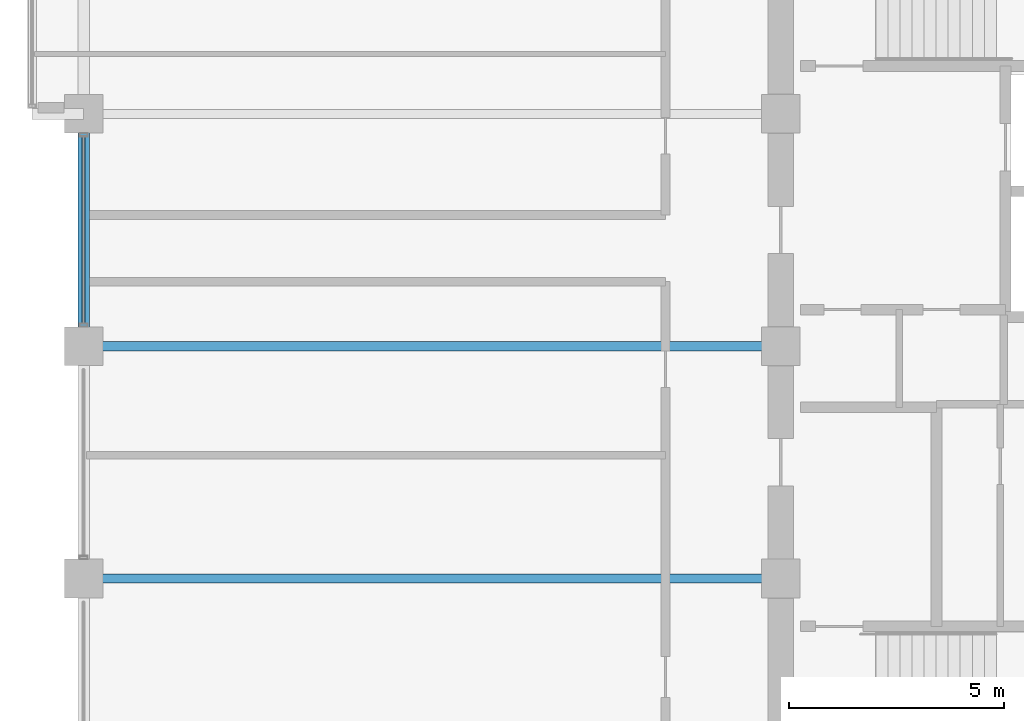
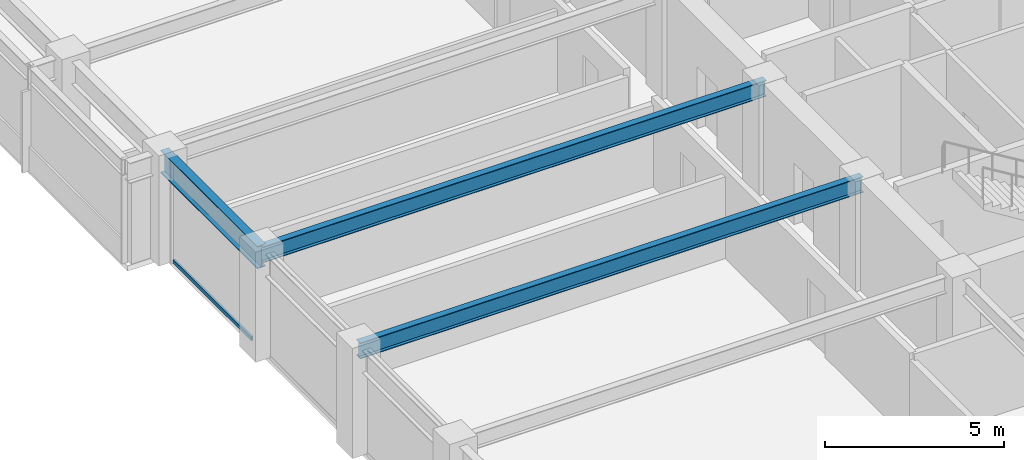
# One storey, part 9 of 32: 3 beams, 1 member, 1 element without a shape of its own.
"""IFC4 building model written with IfcOpenShell, lengths in metres."""

from ifc_helpers import new_model, si_unit, direction, frame, origin, origin_2d, place, context, subcontext, project, spatial, hollow_rectangle, i_section, extrude, material, layer, layer_set, material_profile, profile_set, type_object, element, aggregate, save


model = new_model("IFC4")

# Units and contexts
model_context = context("Model", 3, precision=1e-05, world=origin(), true_north=direction((0.0, 1.0)))
body_context = subcontext(model_context, "Body", "Model", "MODEL_VIEW")
ifc_project = project(units=[si_unit("LENGTHUNIT", "METRE"), si_unit("AREAUNIT", "SQUARE_METRE"), si_unit("VOLUMEUNIT", "CUBIC_METRE"), si_unit("PLANEANGLEUNIT", "RADIAN"), si_unit("MASSUNIT", "GRAM", prefix="KILO")], contexts=[model_context])

# Site, building, storey
site_placement = place(None, origin())
site = spatial("IfcSite", under=ifc_project, at=site_placement, CompositionType="ELEMENT")
building_placement = place(site_placement, origin())
building = spatial("IfcBuilding", under=site, at=building_placement, Name="Surkhivell Harbour Commons", CompositionType="ELEMENT")
storey_placement = place(building_placement, frame((0.0, 0.0, 189.75)))
storey = spatial("IfcBuildingStorey", under=building, at=storey_placement, Name="L49", CompositionType="ELEMENT", Elevation=189.75)

# Beams
ifc_material_1 = material(Name="Steel S355", Category="steel")
ifc_material_profile_1 = material_profile(ifc_material_1, i_section(OverallWidth=0.2119140625, OverallDepth=0.5439453125, WebThickness=0.0126953125, FlangeThickness=0.021240234375, at=origin_2d()), Name="UB533x210x122")
ifc_profile_set_1 = profile_set([ifc_material_profile_1], Name="Steel S355")
beam_type_1 = type_object("IfcBeamType", Name="BM-GRD-533A", PredefinedType="BEAM", material=ifc_profile_set_1)
for number, where, z_axis, x_axis, name in (
    (1, (-27.0, -5.39990234375, 3.298095703125), (1.0, 0.0, 0.0), (0.0, 1.0, 0.0), "L49 Floor Girder (-27.0,-5.4)"),
    (2, (-27.0, 0.0, 3.298095703125), (1.0, 0.0, 0.0), (0.0, 1.0, 0.0), "L49 Floor Girder (-27.0,0.0)"),
):
    element("IfcBeam", number, at=place(storey_placement, frame(where, z_axis=z_axis, x_axis=x_axis)), inside=storey, type_object=beam_type_1, Name=name, PredefinedType="BEAM", context=body_context, shape_type="SweptSolid", body=[
        extrude(i_section(OverallWidth=0.2119140625, OverallDepth=0.5439453125, WebThickness=0.0126953125, FlangeThickness=0.021240234375, at=origin_2d()), origin(), (0.0, 0.0, 1.0), 16.199951171875),
    ])
ifc_material_profile_2 = material_profile(ifc_material_1, i_section(OverallWidth=0.26806640625, OverallDepth=0.77001953125, WebThickness=0.015625, FlangeThickness=0.025390625, at=origin_2d()), Name="UB762x267x197")
ifc_profile_set_2 = profile_set([ifc_material_profile_2], Name="Steel S355")
beam_type_2 = type_object("IfcBeamType", Name="BM-SPN-762", PredefinedType="SPANDREL", material=ifc_profile_set_2)
beam_placement = place(storey_placement, frame((-27.0, 0.0, 3.18505859375), z_axis=(0.0, 1.0, 0.0), x_axis=(-1.0, 0.0, 0.0)))
element("IfcBeam", 3, at=beam_placement, inside=storey, type_object=beam_type_2, Name="L49 Tube Spandrel (-27.0,0.0)", PredefinedType="SPANDREL", context=body_context, shape_type="SweptSolid", body=[
    extrude(i_section(OverallWidth=0.26806640625, OverallDepth=0.77001953125, WebThickness=0.015625, FlangeThickness=0.025390625, at=origin_2d()), origin(), (0.0, 0.0, 1.0), 5.39990234375),
])

# Curtain wall, member
ifc_material_2 = material(Name="Anodised pale-metal aluminium and insulated glazing", Category="aluminium")
ifc_layer = layer(ifc_material_2, 0.18994140625)
ifc_layer_set = layer_set([ifc_layer], Name="Anodised pale-metal aluminium and insulated glazing")
curtain_wall_type = type_object("IfcCurtainWallType", Name="CW-SYS-Z3", PredefinedType="NOTDEFINED", material=ifc_layer_set)
curtain_wall_placement = place(storey_placement, origin())
curtain_wall = element("IfcCurtainWall", 4, at=curtain_wall_placement, inside=storey, type_object=curtain_wall_type, Name="L49 Curtain Wall CW-L49-E12R1S1", PredefinedType="NOTDEFINED")
ifc_material_3 = material(Name="Champagne anodised aluminium alloy 6063-T6", Category="aluminium")
ifc_material_profile_3 = material_profile(ifc_material_3, hollow_rectangle(XDim=0.070068359375, YDim=0.1298828125, WallThickness=0.00341796875, at=origin_2d()), Name="ALU-TRAN-70x130")
ifc_profile_set_3 = profile_set([ifc_material_profile_3], Name="Champagne anodised aluminium alloy 6063-T6")
member_type = type_object("IfcMemberType", Name="CWT-130", PredefinedType="USERDEFINED", material=ifc_profile_set_3)
member_placement = place(storey_placement, frame((-27.0, 0.527099609375, 0.06494140625), z_axis=(0.0, 1.0, 0.0), x_axis=(-1.0, 0.0, 0.0)))
member = element("IfcMember", 5, at=member_placement, type_object=member_type, Name="CW-Z3 transom 3.1", ObjectType="TRANSOM", PredefinedType="USERDEFINED", context=body_context, shape_type="SweptSolid", body=[
    extrude(hollow_rectangle(XDim=0.070068359375, YDim=0.1298828125, WallThickness=0.00341796875, at=origin_2d()), origin(), (0.0, 0.0, 1.0), 4.345947265625),
])
aggregate(curtain_wall, [member])

save(model, "model.ifc")
